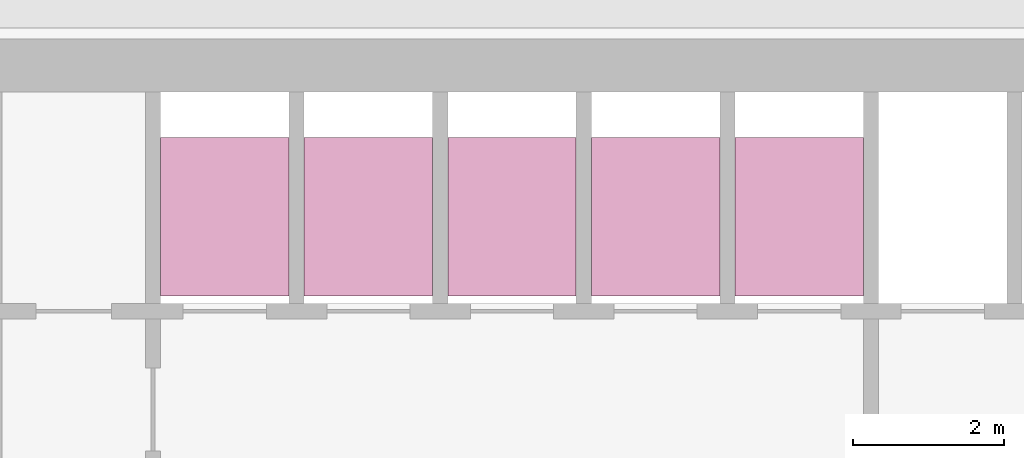
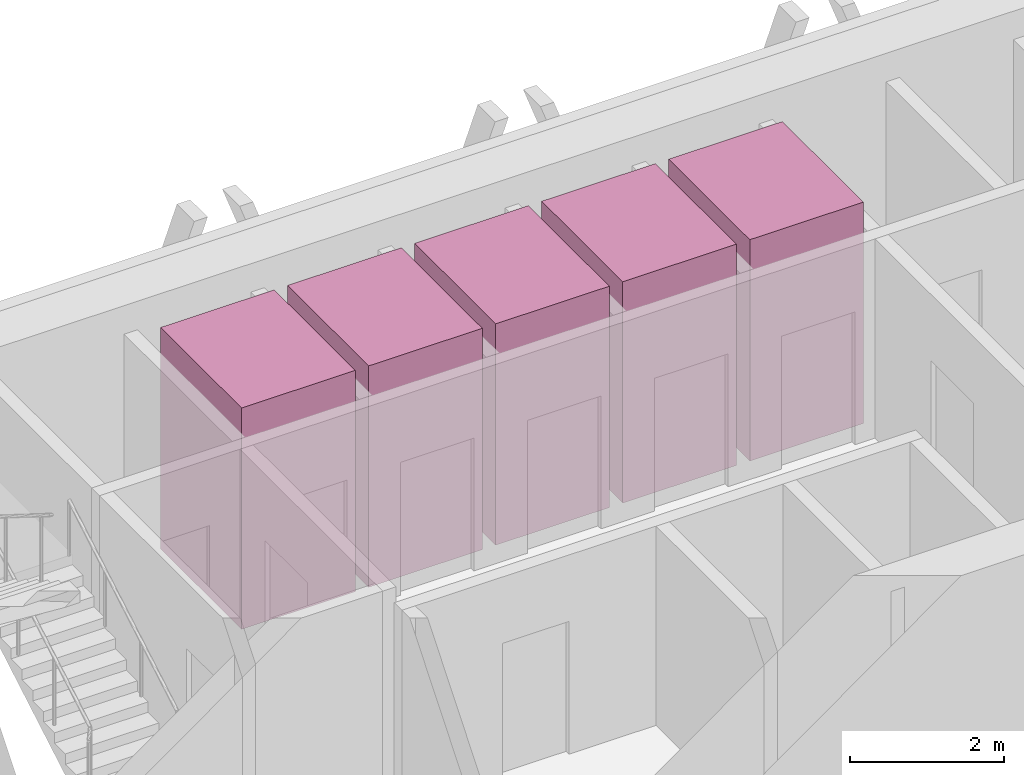
# One storey, part 16 of 16: 5 transport elements.
"""IFC4 building model written with IfcOpenShell, lengths in metres."""

from ifc_helpers import new_model, si_unit, direction, frame, origin, origin_2d, place, context, subcontext, project, spatial, rectangle, extrude, material, type_object, element, save


model = new_model("IFC4")

# Units and contexts
model_context = context("Model", 3, precision=1e-05, world=origin(), true_north=direction((0.0, 1.0)))
body_context = subcontext(model_context, "Body", "Model", "MODEL_VIEW")
ifc_project = project(units=[si_unit("LENGTHUNIT", "METRE"), si_unit("AREAUNIT", "SQUARE_METRE"), si_unit("VOLUMEUNIT", "CUBIC_METRE"), si_unit("PLANEANGLEUNIT", "RADIAN"), si_unit("MASSUNIT", "GRAM", prefix="KILO")], contexts=[model_context])

# Site, building, storey
site_placement = place(None, origin())
site = spatial("IfcSite", under=ifc_project, at=site_placement, CompositionType="ELEMENT")
building_placement = place(site_placement, origin())
building = spatial("IfcBuilding", under=site, at=building_placement, Name="Altiplano Prism Tower", CompositionType="ELEMENT")
storey_placement = place(building_placement, frame((0.0, 0.0, 174.60009765625)))
storey = spatial("IfcBuildingStorey", under=building, at=storey_placement, Name="L45", CompositionType="ELEMENT", Elevation=174.60009765625)

# Transport elements
ifc_material = material(Name="Stainless steel lift car", Category="steel")
transport_element_type = type_object("IfcTransportElementType", Name="Passenger lift car 1600 x 2100", PredefinedType="ELEVATOR", material=ifc_material)
for number, where, z_axis, x_axis, name in (
    (1, (79.050048828125, 101.75, 0.0498046875), (0.0, 0.0, 1.0), (1.0, 0.0, 0.0), "Mid Zone Passenger Lift 1"),
    (2, (80.949951171875, 101.75, 0.0498046875), (0.0, 0.0, 1.0), (1.0, 0.0, 0.0), "Mid Zone Passenger Lift 2"),
    (3, (82.85009765625, 101.75, 0.0498046875), (0.0, 0.0, 1.0), (1.0, 0.0, 0.0), "Mid Zone Passenger Lift 3"),
    (4, (84.75, 101.75, 0.0498046875), (0.0, 0.0, 1.0), (1.0, 0.0, 0.0), "Mid Zone Passenger Lift 4"),
    (5, (86.64990234375, 101.75, 0.0498046875), (0.0, 0.0, 1.0), (1.0, 0.0, 0.0), "Mid Zone Passenger Lift 5"),
):
    element("IfcTransportElement", number, at=place(storey_placement, frame(where, z_axis=z_axis, x_axis=x_axis)), inside=storey, type_object=transport_element_type, Name=name, PredefinedType="ELEVATOR", context=body_context, shape_type="SweptSolid", body=[
        extrude(rectangle(XDim=1.699951171875, YDim=2.10009765625, at=origin_2d()), origin(), (0.0, 0.0, 1.0), 3.5),
    ])

save(model, "model.ifc")
